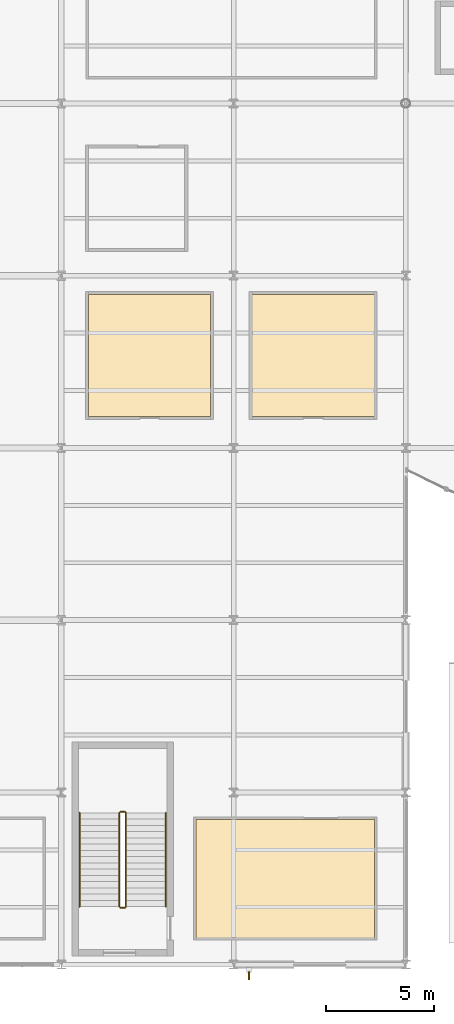
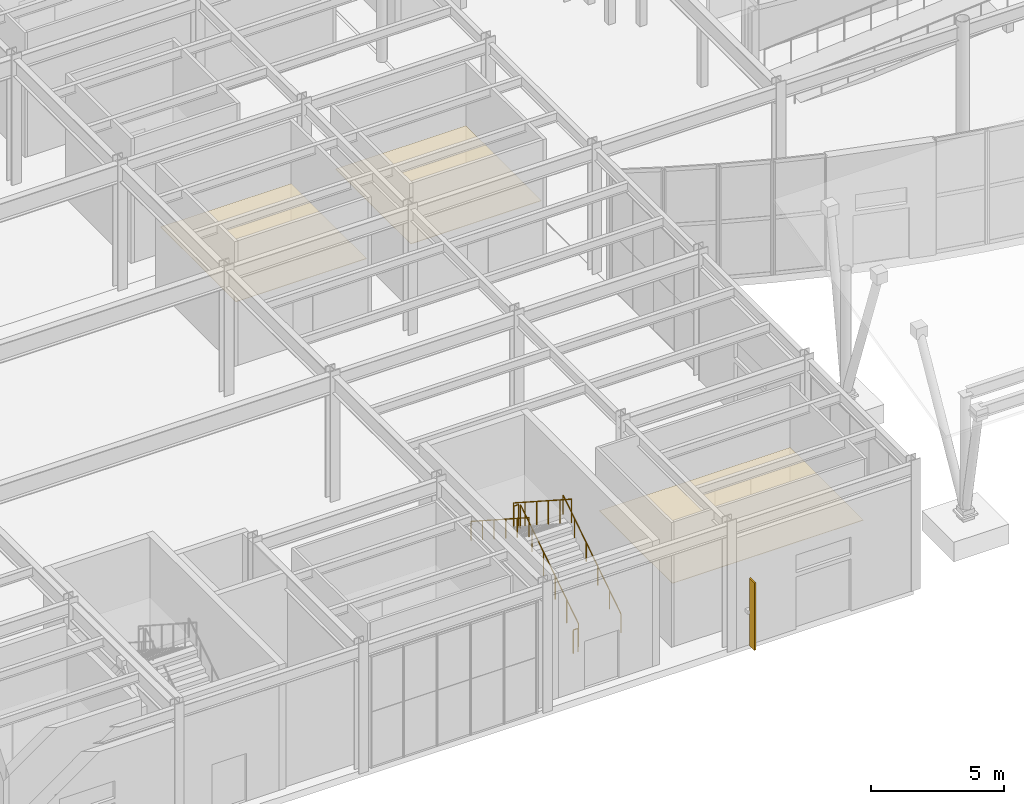
# One storey, part 72 of 82: 6 railings, 3 coverings, 1 shading device.
"""IFC4 building model written with IfcOpenShell, lengths in metres."""

import ifcopenshell
import ifcopenshell.guid

model = None  # the IFC model being written
_history = None  # IfcOwnerHistory: only IFC2X3 demands one
_inside = {}  # id of a spatial element -> (the spatial element, [elements in it])
_under = {}  # id of a project, library or spatial element -> (it, [spatial elements below it])
_declared = {}  # id of a project -> (the project, [libraries it declares])
_typed = {}  # id of a type object -> (the type object, [elements of that type])
_made_of = {}  # id of a material, layer set ... -> (it, [elements and type objects made of it])


def new_model(schema):
    """Start an empty IFC model of exactly this schema.

    Asked for "IFC4X3", IfcOpenShell would pick the latest addendum, in which some entities
    have other attributes; the version numbers below select the first issue.
    IFC2X3 requires an IfcOwnerHistory on every rooted entity: one is made here for all.
    """
    global model, _history
    if schema == "IFC4X3":
        model = ifcopenshell.file(schema_version=(4, 3, 0, 0))
    else:
        model = ifcopenshell.file(schema=schema)
    _inside.clear()
    _under.clear()
    _declared.clear()
    _typed.clear()
    _made_of.clear()
    _history = None
    if model.schema == "IFC2X3":
        org = make("IfcOrganization", Name="unknown")
        user = make(
            "IfcPersonAndOrganization",
            ThePerson=make("IfcPerson", FamilyName="unknown"),
            TheOrganization=org,
        )
        app = make(
            "IfcApplication",
            ApplicationDeveloper=org,
            Version="unknown",
            ApplicationFullName="unknown",
            ApplicationIdentifier="unknown",
        )
        _history = make(
            "IfcOwnerHistory",
            OwningUser=user,
            OwningApplication=app,
            ChangeAction="ADDED",
            CreationDate=0,
        )
    return model


def make(cls, **values):
    """One entity of the class cls with the attributes given. An attribute that is None is left unset."""
    return model.create_entity(
        cls, **{name: value for name, value in values.items() if value is not None}
    )


def rooted(cls, **values):
    """An entity with a GlobalId (a new one), such as an element, a storey or a relation."""
    return make(cls, GlobalId=ifcopenshell.guid.new(), OwnerHistory=_history, **values)


def si_unit(unit_type, name, prefix=None):
    """IfcSIUnit, for example si_unit("LENGTHUNIT", "METRE", prefix="MILLI")."""
    return make("IfcSIUnit", UnitType=unit_type, Prefix=prefix, Name=name)


def assignment(units):
    """IfcUnitAssignment: the units of a project."""
    return None if units is None else make("IfcUnitAssignment", Units=units)


def point(xyz):
    """IfcCartesianPoint."""
    return None if xyz is None else make("IfcCartesianPoint", Coordinates=xyz)


def direction(xyz):
    """IfcDirection."""
    return None if xyz is None else make("IfcDirection", DirectionRatios=xyz)


def frame(location, z_axis=None, x_axis=None):
    """IfcAxis2Placement3D, a coordinate frame: its origin and axes. An axis left out is left unset."""
    return make(
        "IfcAxis2Placement3D",
        Location=point(location),
        Axis=direction(z_axis),
        RefDirection=direction(x_axis),
    )


def frame_2d(location, x_axis=None):
    """IfcAxis2Placement2D, a coordinate frame in the plane: its origin and x axis."""
    return make(
        "IfcAxis2Placement2D", Location=point(location), RefDirection=direction(x_axis)
    )


def origin():
    """The frame at (0, 0, 0) with its axes left unset."""
    return frame((0.0, 0.0, 0.0))


def origin_2d():
    """The frame at (0, 0) in the plane with its x axis left unset."""
    return frame_2d((0.0, 0.0))


def place(relative_to, where):
    """IfcLocalPlacement: puts the frame where relative to a parent placement (None: the world)."""
    return make(
        "IfcLocalPlacement", PlacementRelTo=relative_to, RelativePlacement=where
    )


def context(
    kind, dimensions, precision=None, world=None, true_north=None, identifier=None
):
    """IfcGeometricRepresentationContext, for example the 3D "Model" context."""
    return make(
        "IfcGeometricRepresentationContext",
        ContextIdentifier=identifier,
        ContextType=kind,
        CoordinateSpaceDimension=dimensions,
        Precision=precision,
        WorldCoordinateSystem=world,
        TrueNorth=true_north,
    )


def subcontext(parent, identifier, kind, view, scale=None):
    """IfcGeometricRepresentationSubContext, for example "Body" below "Model"."""
    return make(
        "IfcGeometricRepresentationSubContext",
        ContextIdentifier=identifier,
        ContextType=kind,
        ParentContext=parent,
        TargetScale=scale,
        TargetView=view,
    )


def project(units=None, contexts=None):
    """IfcProject with its units and contexts."""
    return rooted(
        "IfcProject",
        Name="project",
        RepresentationContexts=contexts,
        UnitsInContext=assignment(units),
    )


def spatial(cls, under=None, at=None, **own):
    """A site, building, storey or space (cls), placed at a placement, below another one or the project."""
    s = rooted(cls, ObjectPlacement=at, **own)
    if under is not None:
        _under.setdefault(under.id(), (under, []))[1].append(s)
    return s


def polyline(points):
    """IfcPolyline through the points."""
    return make("IfcPolyline", Points=[point(p) for p in points])


def profile(cls, at=None, kind="AREA", **sizes):
    """A parametric profile (cls). Its sizes go by their IFC names, for example OverallWidth=200.0."""
    return make(cls, ProfileType=kind, Position=at, **sizes)


def rectangle(**sizes):
    """IfcRectangleProfileDef."""
    return profile("IfcRectangleProfileDef", **sizes)


def circle(**sizes):
    """IfcCircleProfileDef."""
    return profile("IfcCircleProfileDef", **sizes)


def outline(outer, holes=None, kind="AREA"):
    """IfcArbitraryClosedProfileDef: a profile drawn as a closed curve; with holes, ...WithVoids."""
    if holes is None:
        return make("IfcArbitraryClosedProfileDef", ProfileType=kind, OuterCurve=outer)
    return make(
        "IfcArbitraryProfileDefWithVoids",
        ProfileType=kind,
        OuterCurve=outer,
        InnerCurves=holes,
    )


def extrude(swept, where, along, depth):
    """IfcExtrudedAreaSolid: the profile swept, set in the frame where, extruded along a direction by depth."""
    return make(
        "IfcExtrudedAreaSolid",
        SweptArea=swept,
        Position=where,
        ExtrudedDirection=direction(along),
        Depth=depth,
    )


def shape(context_of_items, identifier, shape_type, items):
    """IfcShapeRepresentation: the items that make up one representation, for example the "Body"."""
    return make(
        "IfcShapeRepresentation",
        ContextOfItems=context_of_items,
        RepresentationIdentifier=identifier,
        RepresentationType=shape_type,
        Items=items,
    )


def material(Name=None, Category=None):
    """IfcMaterial."""
    return make("IfcMaterial", Name=Name, Category=Category)


def layer(
    of_material, thickness, ventilated=None, Name=None, Category=None, Priority=None
):
    """IfcMaterialLayer: one layer of a wall or slab, of a material (None: an air gap)."""
    return make(
        "IfcMaterialLayer",
        Material=of_material,
        LayerThickness=thickness,
        IsVentilated=ventilated,
        Name=Name,
        Category=Category,
        Priority=Priority,
    )


def layer_set(layers, Name=None):
    """IfcMaterialLayerSet."""
    return make("IfcMaterialLayerSet", MaterialLayers=layers, LayerSetName=Name)


def made_of(thing, what):
    """Note that an element or type object is made of a material, layer set ...; save() writes the relation."""
    if what is not None:
        _made_of.setdefault(what.id(), (what, []))[1].append(thing)
    return thing


def type_object(cls, material=None, **own):
    """A type object (cls), such as IfcWallType, which elements share."""
    return made_of(rooted(cls, **own), material)


def element(
    cls,
    number,
    at=None,
    inside=None,
    cuts=None,
    type_object=None,
    material=None,
    context=None,
    identifier="Body",
    shape_type=None,
    held_by="IfcProductDefinitionShape",
    body=None,
    shapes=None,
    **own,
):
    """One element of the class cls, such as IfcWall. Its Tag is "e" and its number.

    at: its placement. inside: the storey or other place that contains it. cuts: it is an
    opening in that element (IfcRelVoidsElement). A single representation is given by context,
    identifier, shape_type and body (its items); several are given by shapes. held_by: the class
    of the entity that holds the representations. save() writes the other relations.
    """
    e = rooted(cls, Tag="e%d" % number, ObjectPlacement=at, **own)
    if body is not None:
        shapes = [shape(context, identifier, shape_type, body)]
    if shapes is not None:
        e.Representation = make(held_by, Representations=shapes)
    if inside is not None:
        _inside.setdefault(inside.id(), (inside, []))[1].append(e)
    if cuts is not None:
        rooted(
            "IfcRelVoidsElement", RelatingBuildingElement=cuts, RelatedOpeningElement=e
        )
    if type_object is not None:
        _typed.setdefault(type_object.id(), (type_object, []))[1].append(e)
    return made_of(e, material)


def aggregate(whole, parts):
    """IfcRelAggregates: a whole, such as a stair, and the parts it consists of."""
    return rooted("IfcRelAggregates", RelatingObject=whole, RelatedObjects=parts)


def save(model, path):
    """Write the relations noted so far, then the file.

    IfcRelAggregates (storeys below a building ...), IfcRelContainedInSpatialStructure (elements
    in a storey), IfcRelDefinesByType, IfcRelAssociatesMaterial and IfcRelDeclares: one each for
    every whole, place, type object, material and project.
    """
    for whole, parts in _under.values():
        aggregate(whole, parts)
    for where, things in _inside.values():
        rooted(
            "IfcRelContainedInSpatialStructure",
            RelatedElements=things,
            RelatingStructure=where,
        )
    for kind, things in _typed.values():
        rooted("IfcRelDefinesByType", RelatedObjects=things, RelatingType=kind)
    for what, things in _made_of.values():
        rooted("IfcRelAssociatesMaterial", RelatedObjects=things, RelatingMaterial=what)
    for by, libraries in _declared.values():
        rooted("IfcRelDeclares", RelatingContext=by, RelatedDefinitions=libraries)
    model.write(path)


model = new_model("IFC4")

# Units and contexts
model_context = context("Model", 3, precision=1e-05, world=origin(), true_north=direction((0.0, 1.0)))
body_context = subcontext(model_context, "Body", "Model", "MODEL_VIEW")
ifc_project = project(units=[si_unit("LENGTHUNIT", "METRE"), si_unit("AREAUNIT", "SQUARE_METRE"), si_unit("VOLUMEUNIT", "CUBIC_METRE"), si_unit("PLANEANGLEUNIT", "RADIAN"), si_unit("MASSUNIT", "GRAM", prefix="KILO")], contexts=[model_context])

# Site, building, storey
site_placement = place(None, origin())
site = spatial("IfcSite", under=ifc_project, at=site_placement, CompositionType="ELEMENT")
building_placement = place(site_placement, origin())
building = spatial("IfcBuilding", under=site, at=building_placement, Name="Drelvath Fold Interchange", CompositionType="ELEMENT")
storey_placement = place(building_placement, origin())
storey = spatial("IfcBuildingStorey", under=building, at=storey_placement, Name="L00", CompositionType="ELEMENT", Elevation=0.0)

# Coverings
ifc_material_1 = material(Name="Perforated Aluminium Acoustic Ceiling", Category="aluminium")
ifc_layer = layer(ifc_material_1, 0.01806640625, Name="Perforated Aluminium Acoustic Ceiling")
ifc_layer_set = layer_set([ifc_layer], Name="Perforated Aluminium Acoustic Ceiling")
covering_type = type_object("IfcCoveringType", Name="CV-CEIL-AL18", PredefinedType="CEILING", material=ifc_layer_set)
covering_1_placement = place(storey_placement, frame((0.0, 0.0, 2.830078125)))
element("IfcCovering", 1, at=covering_1_placement, inside=storey, type_object=covering_type, Name="Regional Rail Ticketing Office acoustic ceiling", PredefinedType="CEILING", context=body_context, shape_type="SweptSolid", body=[
    extrude(outline(polyline([(42.248046875, 4.248046875), (50.552978515625, 4.248046875), (50.552978515625, 9.7529296875), (42.248046875, 9.7529296875), (42.248046875, 4.248046875)])), origin(), (0.0, 0.0, 1.0), 0.02001953125),
])
covering_2_placement = place(storey_placement, frame((0.0, 0.0, 2.830078125)))
element("IfcCovering", 2, at=covering_2_placement, inside=storey, type_object=covering_type, Name="Ground Concourse Public Toilet Men acoustic ceiling", PredefinedType="CEILING", context=body_context, shape_type="SweptSolid", body=[
    extrude(outline(polyline([(37.262939453125, 28.4619140625), (42.93798828125, 28.4619140625), (42.93798828125, 34.137939453125), (37.262939453125, 34.137939453125), (37.262939453125, 28.4619140625)])), origin(), (0.0, 0.0, 1.0), 0.02001953125),
])
covering_3_placement = place(storey_placement, frame((0.0, 0.0, 2.830078125)))
element("IfcCovering", 3, at=covering_3_placement, inside=storey, type_object=covering_type, Name="Ground Concourse Public Toilet Women acoustic ceiling", PredefinedType="CEILING", context=body_context, shape_type="SweptSolid", body=[
    extrude(outline(polyline([(44.862060546875, 28.4619140625), (50.5380859375, 28.4619140625), (50.5380859375, 34.137939453125), (44.862060546875, 34.137939453125), (44.862060546875, 28.4619140625)])), origin(), (0.0, 0.0, 1.0), 0.02001953125),
])

# Railings
ifc_material_2 = material(Name="Stainless Steel 316L", Category="steel")
railing_type_1 = type_object("IfcRailingType", Name="RL-GRD1100", PredefinedType="GUARDRAIL", material=ifc_material_2)
railing_1_placement = place(storey_placement, frame((39.0, 5.699951171875, 0.1875)))
element("IfcRailing", 4, at=railing_1_placement, inside=storey, type_object=railing_type_1, Name="L00 ST-04 stair guard 1", PredefinedType="GUARDRAIL", context=body_context, shape_type="SweptSolid", body=[
    extrude(circle(Radius=0.02392578125, at=origin_2d()), frame((0.0, 0.0, 1.076171875), z_axis=(0.0, 0.839769887392, 0.54294247967), x_axis=(-1.0, 0.0, 0.0)), (0.0, 0.0, 1.0), 5.18017578125),
    extrude(circle(Radius=0.02099609375, at=origin_2d()), origin(), (0.0, 0.0, 1.0), 1.052001953125),
    extrude(circle(Radius=0.02099609375, at=origin_2d()), frame((0.0, 0.8701171875, 0.5625)), (0.0, 0.0, 1.0), 1.052001953125),
    extrude(circle(Radius=0.02099609375, at=origin_2d()), frame((0.0, 1.739990234375, 1.125)), (0.0, 0.0, 1.0), 1.052001953125),
    extrude(circle(Radius=0.02099609375, at=origin_2d()), frame((0.0, 2.610107421875, 1.6875)), (0.0, 0.0, 1.0), 1.052001953125),
    extrude(circle(Radius=0.02099609375, at=origin_2d()), frame((0.0, 3.47998046875, 2.25)), (0.0, 0.0, 1.0), 1.052001953125),
    extrude(circle(Radius=0.02099609375, at=origin_2d()), frame((0.0, 4.35009765625, 2.8125)), (0.0, 0.0, 1.0), 1.052001953125),
])
railing_2_placement = place(storey_placement, frame((38.949951171875, 10.10009765625, 3.0)))
element("IfcRailing", 5, at=railing_2_placement, inside=storey, type_object=railing_type_1, Name="L00 ST-04 stair guard 2", PredefinedType="GUARDRAIL", context=body_context, shape_type="SweptSolid", body=[
    extrude(circle(Radius=0.02392578125, at=origin_2d()), frame((0.0, 0.0, 1.076171875), z_axis=(-1.0, 0.0, 0.0), x_axis=(0.0, -1.0, 0.0)), (0.0, 0.0, 1.0), 0.199951171875),
    extrude(circle(Radius=0.02099609375, at=origin_2d()), origin(), (0.0, 0.0, 1.0), 1.052001953125),
    extrude(circle(Radius=0.02099609375, at=origin_2d()), frame((-0.199951171875, 0.0, 0.0)), (0.0, 0.0, 1.0), 1.052001953125),
])
railing_3_placement = place(storey_placement, frame((38.699951171875, 10.050048828125, 3.1875)))
element("IfcRailing", 6, at=railing_3_placement, inside=storey, type_object=railing_type_1, Name="L00 ST-04 stair guard 3", PredefinedType="GUARDRAIL", context=body_context, shape_type="SweptSolid", body=[
    extrude(circle(Radius=0.02392578125, at=origin_2d()), frame((0.0, 0.0, 1.076171875), z_axis=(0.0, -0.839769887392, 0.54294247967), x_axis=(1.0, 0.0, 0.0)), (0.0, 0.0, 1.0), 5.18017578125),
    extrude(circle(Radius=0.02099609375, at=origin_2d()), origin(), (0.0, 0.0, 1.0), 1.052001953125),
    extrude(circle(Radius=0.02099609375, at=origin_2d()), frame((0.0, -0.8701171875, 0.5625)), (0.0, 0.0, 1.0), 1.052001953125),
    extrude(circle(Radius=0.02099609375, at=origin_2d()), frame((0.0, -1.739990234375, 1.125)), (0.0, 0.0, 1.0), 1.052001953125),
    extrude(circle(Radius=0.02099609375, at=origin_2d()), frame((0.0, -2.610107421875, 1.6875)), (0.0, 0.0, 1.0), 1.052001953125),
    extrude(circle(Radius=0.02099609375, at=origin_2d()), frame((0.0, -3.47998046875, 2.25)), (0.0, 0.0, 1.0), 1.052001953125),
    extrude(circle(Radius=0.02099609375, at=origin_2d()), frame((0.0, -4.35009765625, 2.8125)), (0.0, 0.0, 1.0), 1.052001953125),
])
railing_4_placement = place(storey_placement, frame((38.949951171875, 5.64990234375, 0.0)))
element("IfcRailing", 7, at=railing_4_placement, inside=storey, type_object=railing_type_1, Name="L00 ST-04 stair guard 4", PredefinedType="GUARDRAIL", context=body_context, shape_type="SweptSolid", body=[
    extrude(circle(Radius=0.02392578125, at=origin_2d()), frame((0.0, 0.0, 1.076171875), z_axis=(-1.0, 0.0, 0.0), x_axis=(0.0, -1.0, 0.0)), (0.0, 0.0, 1.0), 0.199951171875),
    extrude(circle(Radius=0.02099609375, at=origin_2d()), origin(), (0.0, 0.0, 1.0), 1.052001953125),
    extrude(circle(Radius=0.02099609375, at=origin_2d()), frame((-0.199951171875, 0.0, 0.0)), (0.0, 0.0, 1.0), 1.052001953125),
])
railing_type_2 = type_object("IfcRailingType", Name="RL-HND920", PredefinedType="HANDRAIL", material=ifc_material_2)
railing_5_placement = place(storey_placement, frame((40.85009765625, 5.699951171875, 0.1875)))
element("IfcRailing", 8, at=railing_5_placement, inside=storey, type_object=railing_type_2, Name="L00 ST-04 stair handrail 1", PredefinedType="HANDRAIL", context=body_context, shape_type="SweptSolid", body=[
    extrude(circle(Radius=0.02392578125, at=origin_2d()), frame((0.0, 0.0, 0.8759765625), z_axis=(0.0, 0.839769887392, 0.54294247967), x_axis=(-1.0, 0.0, 0.0)), (0.0, 0.0, 1.0), 5.18017578125),
    extrude(circle(Radius=0.02099609375, at=origin_2d()), origin(), (0.0, 0.0, 1.0), 0.851806640625),
    extrude(circle(Radius=0.02099609375, at=origin_2d()), frame((0.0, 0.8701171875, 0.5625)), (0.0, 0.0, 1.0), 0.851806640625),
    extrude(circle(Radius=0.02099609375, at=origin_2d()), frame((0.0, 1.739990234375, 1.125)), (0.0, 0.0, 1.0), 0.851806640625),
    extrude(circle(Radius=0.02099609375, at=origin_2d()), frame((0.0, 2.610107421875, 1.6875)), (0.0, 0.0, 1.0), 0.851806640625),
    extrude(circle(Radius=0.02099609375, at=origin_2d()), frame((0.0, 3.47998046875, 2.25)), (0.0, 0.0, 1.0), 0.851806640625),
    extrude(circle(Radius=0.02099609375, at=origin_2d()), frame((0.0, 4.35009765625, 2.8125)), (0.0, 0.0, 1.0), 0.851806640625),
])
railing_6_placement = place(storey_placement, frame((36.85009765625, 10.050048828125, 3.1875)))
element("IfcRailing", 9, at=railing_6_placement, inside=storey, type_object=railing_type_2, Name="L00 ST-04 stair handrail 2", PredefinedType="HANDRAIL", context=body_context, shape_type="SweptSolid", body=[
    extrude(circle(Radius=0.02392578125, at=origin_2d()), frame((0.0, 0.0, 0.8759765625), z_axis=(0.0, -0.839769887392, 0.54294247967), x_axis=(1.0, 0.0, 0.0)), (0.0, 0.0, 1.0), 5.18017578125),
    extrude(circle(Radius=0.02099609375, at=origin_2d()), origin(), (0.0, 0.0, 1.0), 0.851806640625),
    extrude(circle(Radius=0.02099609375, at=origin_2d()), frame((0.0, -0.8701171875, 0.5625)), (0.0, 0.0, 1.0), 0.851806640625),
    extrude(circle(Radius=0.02099609375, at=origin_2d()), frame((0.0, -1.739990234375, 1.125)), (0.0, 0.0, 1.0), 0.851806640625),
    extrude(circle(Radius=0.02099609375, at=origin_2d()), frame((0.0, -2.610107421875, 1.6875)), (0.0, 0.0, 1.0), 0.851806640625),
    extrude(circle(Radius=0.02099609375, at=origin_2d()), frame((0.0, -3.47998046875, 2.25)), (0.0, 0.0, 1.0), 0.851806640625),
    extrude(circle(Radius=0.02099609375, at=origin_2d()), frame((0.0, -4.35009765625, 2.8125)), (0.0, 0.0, 1.0), 0.851806640625),
])

# Shading device
ifc_material_3 = material(Name="Anodized Aluminium 6063-T6", Category="aluminium")
shading_device_type = type_object("IfcShadingDeviceType", Name="SD-FIN380", PredefinedType="JALOUSIE", material=ifc_material_3)
shading_device_placement = place(storey_placement, frame((44.712890625, 2.47998046875, 0.099853515625), z_axis=(0.0, 0.0, 1.0), x_axis=(0.0, 1.0, 0.0)))
element("IfcShadingDevice", 10, at=shading_device_placement, inside=storey, type_object=shading_device_type, Name="Vertical aluminium solar fin 20", PredefinedType="JALOUSIE", context=body_context, shape_type="SweptSolid", body=[
    extrude(rectangle(XDim=0.3798828125, YDim=0.06494140625, at=origin_2d()), origin(), (0.0, 0.0, 1.0), 3.10009765625),
])

save(model, "model.ifc")
